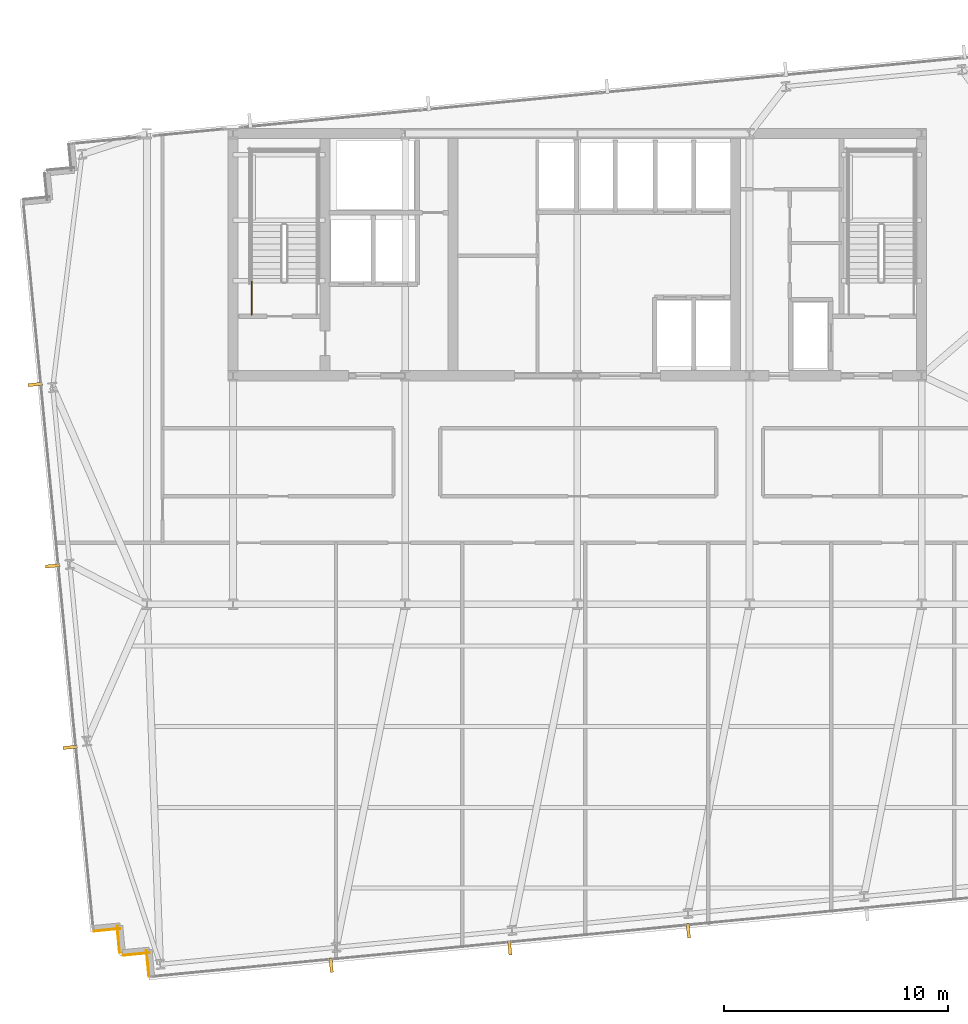
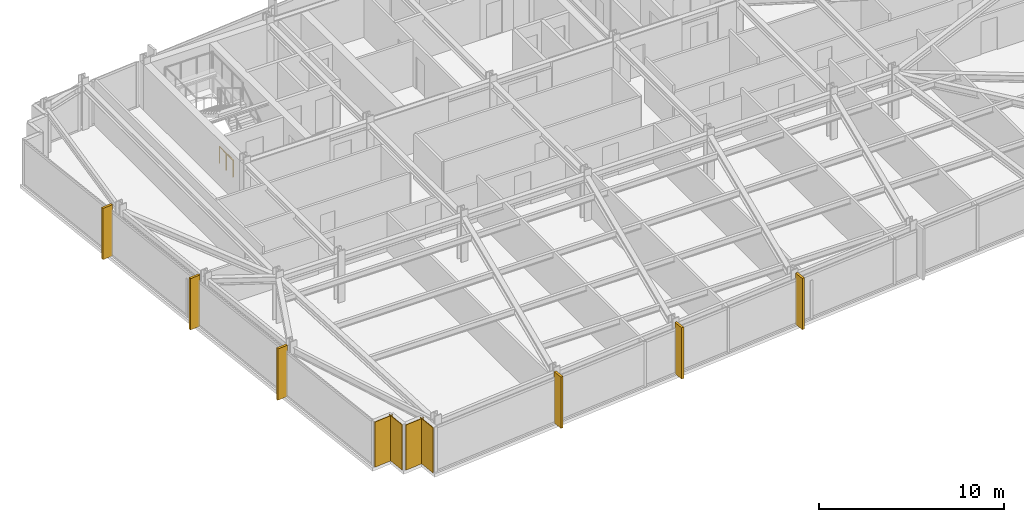
# One storey, part 27 of 32: 6 shading devices, 4 coverings, 1 railing.
"""IFC4 building model written with IfcOpenShell, lengths in metres."""

from ifc_helpers import new_model, si_unit, direction, frame, frame_2d, origin, origin_2d, place, context, subcontext, project, spatial, rectangle, circle, extrude, material, layer, layer_set, type_object, element, save


model = new_model("IFC4")

# Units and contexts
model_context = context("Model", 3, precision=1e-05, world=origin(), true_north=direction((0.0, 1.0)))
body_context = subcontext(model_context, "Body", "Model", "MODEL_VIEW")
ifc_project = project(units=[si_unit("LENGTHUNIT", "METRE"), si_unit("AREAUNIT", "SQUARE_METRE"), si_unit("VOLUMEUNIT", "CUBIC_METRE"), si_unit("PLANEANGLEUNIT", "RADIAN"), si_unit("MASSUNIT", "GRAM", prefix="KILO")], contexts=[model_context])

# Site, building, storey
site_placement = place(None, origin())
site = spatial("IfcSite", under=ifc_project, at=site_placement, CompositionType="ELEMENT")
building_placement = place(site_placement, origin())
building = spatial("IfcBuilding", under=site, at=building_placement, Name="Yelkora Congress Tower", CompositionType="ELEMENT")
storey_placement = place(building_placement, frame((0.0, 0.0, 133.89990234375)))
storey = spatial("IfcBuildingStorey", under=building, at=storey_placement, Name="L36", CompositionType="ELEMENT", Elevation=133.89990234375)

# Coverings
ifc_material_1 = material(Name="Anatolian bush-hammered limestone", Category="masonry")
ifc_layer_1 = layer(ifc_material_1, 0.0400390625)
ifc_layer_set_1 = layer_set([ifc_layer_1], Name="Anatolian bush-hammered limestone")
covering_type = type_object("IfcCoveringType", Name="COV-CLAD-SPANDREL-40", PredefinedType="CLADDING", material=ifc_layer_set_1)
covering_1_placement = place(storey_placement, frame((19.29248046875, 8.58447265625, 0.0), z_axis=(0.0, 0.0, 1.0), x_axis=(-0.095836473879, 0.995397091755, 0.0)))
element("IfcCovering", 1, at=covering_1_placement, inside=storey, type_object=covering_type, Name="L36 Anatolian Limestone Cladding EW-L36-SR01", PredefinedType="CLADDING", context=body_context, shape_type="SweptSolid", body=[
    extrude(rectangle(XDim=1.199951171875, YDim=0.0400390625, at=frame_2d((0.60009765625, 0.0))), origin(), (0.0, 0.0, 1.0), 2.97998046875),
])
for number, where, z_axis, x_axis, name in (
    (2, (19.32470703125, 9.657470703125, 0.0), (0.0, 0.0, 1.0), (-0.995398960025, -0.095817067274, 0.0), "L36 Anatolian Limestone Cladding EW-L36-SR02"),
    (3, (17.98291015625, 9.663818359375, 0.0), (0.0, 0.0, 1.0), (-0.095817067274, 0.995398960025, 0.0), "L36 Anatolian Limestone Cladding EW-L36-SR03"),
):
    element("IfcCovering", number, at=place(storey_placement, frame(where, z_axis=z_axis, x_axis=x_axis)), inside=storey, type_object=covering_type, Name=name, PredefinedType="CLADDING", context=body_context, shape_type="SweptSolid", body=[
        extrude(rectangle(XDim=1.2001953125, YDim=0.0400390625, at=frame_2d((0.60009765625, 0.0))), origin(), (0.0, 0.0, 1.0), 2.97998046875),
    ])
covering_2_placement = place(storey_placement, frame((18.01513671875, 10.737060546875, 0.0), z_axis=(0.0, 0.0, 1.0), x_axis=(-0.995397091755, -0.095836473879, 0.0)))
element("IfcCovering", 4, at=covering_2_placement, inside=storey, type_object=covering_type, Name="L36 Anatolian Limestone Cladding EW-L36-SR04", PredefinedType="CLADDING", context=body_context, shape_type="SweptSolid", body=[
    extrude(rectangle(XDim=1.199951171875, YDim=0.0400390625, at=frame_2d((0.60009765625, 0.0))), origin(), (0.0, 0.0, 1.0), 2.97998046875),
])

# Railing
ifc_material_2 = material(Name="Painted galvanised steel stair well guard with vertical infill", Category="steel")
ifc_layer_2 = layer(ifc_material_2, 0.06005859375)
ifc_layer_set_2 = layer_set([ifc_layer_2], Name="Painted galvanised steel stair well guard with vertical infill")
railing_type = type_object("IfcRailingType", Name="RAIL-STAIR-GUARD-1120", PredefinedType="GUARDRAIL", material=ifc_layer_set_2)
railing_placement = place(storey_placement, frame((23.8701171875, 38.1201171875, 0.0)))
element("IfcRailing", 5, at=railing_placement, inside=storey, type_object=railing_type, Name="ST-01 L36 Stair Well Guardrail 9", PredefinedType="GUARDRAIL", context=body_context, shape_type="SweptSolid", body=[
    extrude(circle(Radius=0.02392578125, at=origin_2d()), frame((0.0, 0.0, 1.09619140625), z_axis=(0.0, 1.0, 0.0), x_axis=(-1.0, 0.0, 0.0)), (0.0, 0.0, 1.0), 1.47998046875),
    extrude(circle(Radius=0.02099609375, at=origin_2d()), origin(), (0.0, 0.0, 1.0), 1.072021484375),
    extrude(circle(Radius=0.02099609375, at=origin_2d()), frame((0.0, 0.739990234375, 0.0)), (0.0, 0.0, 1.0), 1.072021484375),
    extrude(circle(Radius=0.02099609375, at=origin_2d()), frame((0.0, 1.47998046875, 0.0)), (0.0, 0.0, 1.0), 1.072021484375),
])

# Shading devices
ifc_material_3 = material(Name="Champagne anodised aluminium", Category="aluminium")
ifc_layer_3 = layer(ifc_material_3, 3.39990234375)
ifc_layer_set_3 = layer_set([ifc_layer_3], Name="Champagne anodised aluminium")
shading_device_type = type_object("IfcShadingDeviceType", Name="SHD-FIN-ALU-640", PredefinedType="USERDEFINED", material=ifc_layer_set_3)
for number, where, z_axis, x_axis, name in (
    (6, (15.769775390625, 18.823974609375, -0.02978515625), (0.0, 0.0, 1.0), (-0.09584575252, 0.995396198367, 0.0), "L36 Vertical Anodised Solar Fin 5-1"),
    (7, (14.990478515625, 26.91650390625, -0.02978515625), (0.0, 0.0, 1.0), (-0.09584575252, 0.995396198367, 0.0), "L36 Vertical Anodised Solar Fin 5-2"),
    (8, (14.211181640625, 35.00927734375, -0.02978515625), (0.0, 0.0, 1.0), (-0.09584575252, 0.995396198367, 0.0), "L36 Vertical Anodised Solar Fin 5-3"),
    (9, (43.349609375, 10.639892578125, -0.02978515625), (0.0, 0.0, 1.0), (-0.995396198367, -0.09584575252, 0.0), "L36 Vertical Anodised Solar Fin 20-4"),
    (10, (35.3837890625, 9.872802734375, -0.02978515625), (0.0, 0.0, 1.0), (-0.995396198367, -0.09584575252, 0.0), "L36 Vertical Anodised Solar Fin 20-5"),
    (11, (27.417724609375, 9.105712890625, -0.02978515625), (0.0, 0.0, 1.0), (-0.995396198367, -0.09584575252, 0.0), "L36 Vertical Anodised Solar Fin 20-6"),
):
    element("IfcShadingDevice", number, at=place(storey_placement, frame(where, z_axis=z_axis, x_axis=x_axis)), inside=storey, type_object=shading_device_type, Name=name, ObjectType="FIN", PredefinedType="USERDEFINED", context=body_context, shape_type="SweptSolid", body=[
        extrude(rectangle(XDim=0.139892578125, YDim=0.639892578125, at=origin_2d()), origin(), (0.0, 0.0, 1.0), 3.3798828125),
    ])

save(model, "model.ifc")
